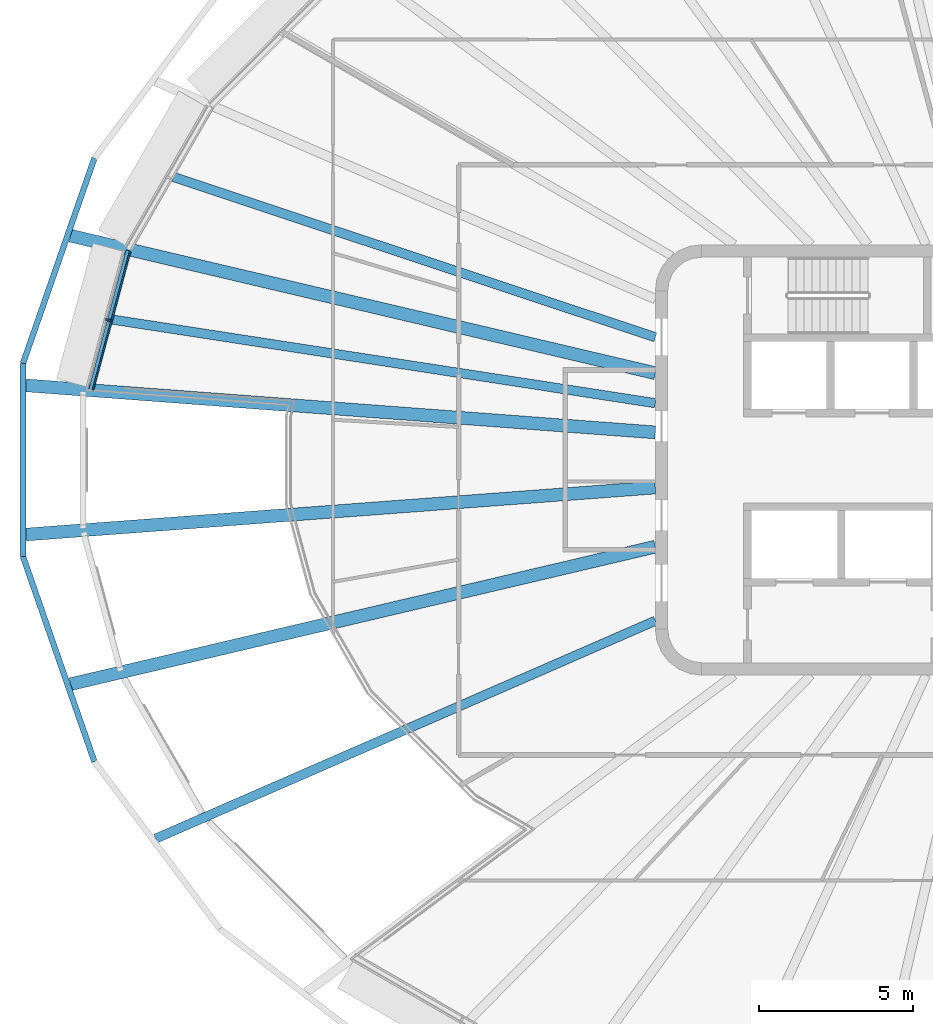
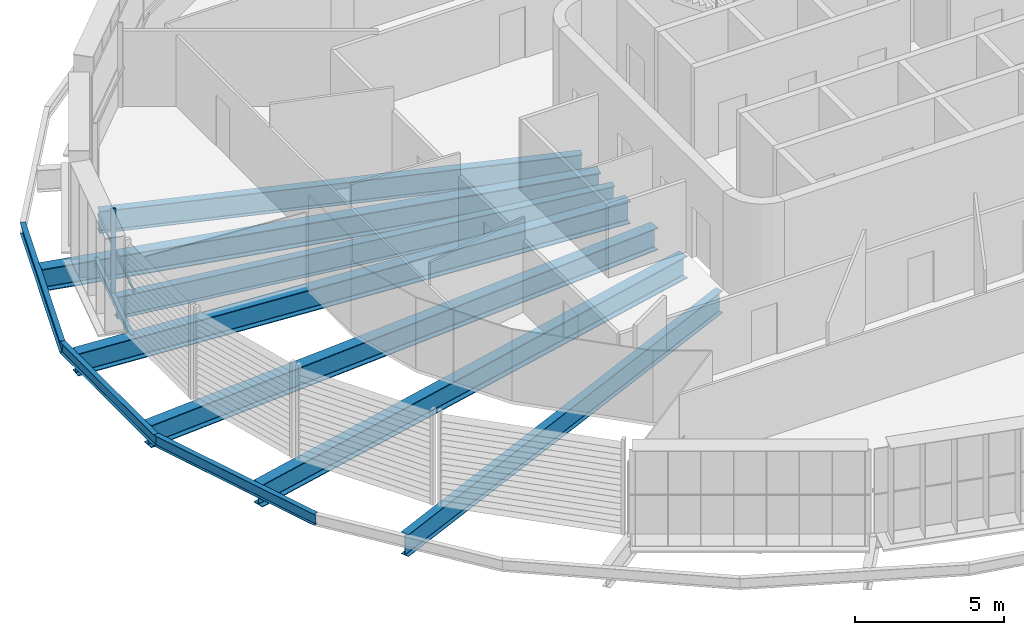
# One storey, part 2 of 20: 11 beams, 2 members, 1 element without a shape of its own.
"""IFC4 building model written with IfcOpenShell, lengths in metres."""

from ifc_helpers import new_model, si_unit, direction, frame, origin, origin_2d, place, context, subcontext, project, spatial, rectangle, i_section, extrude, material, layer, layer_set, material_profile, profile_set, type_object, element, aggregate, save


model = new_model("IFC4")

# Units and contexts
model_context = context("Model", 3, precision=1e-05, world=origin(), true_north=direction((0.0, 1.0)))
body_context = subcontext(model_context, "Body", "Model", "MODEL_VIEW")
ifc_project = project(units=[si_unit("LENGTHUNIT", "METRE"), si_unit("AREAUNIT", "SQUARE_METRE"), si_unit("VOLUMEUNIT", "CUBIC_METRE"), si_unit("PLANEANGLEUNIT", "RADIAN"), si_unit("MASSUNIT", "GRAM", prefix="KILO")], contexts=[model_context])

# Site, building, storey
site_placement = place(None, origin())
site = spatial("IfcSite", under=ifc_project, at=site_placement, CompositionType="ELEMENT")
building_placement = place(site_placement, origin())
building = spatial("IfcBuilding", under=site, at=building_placement, Name="Sahrelin Media Tower", CompositionType="ELEMENT")
storey_placement = place(building_placement, frame((0.0, 0.0, 225.60009765625)))
storey = spatial("IfcBuildingStorey", under=building, at=storey_placement, Name="L48", CompositionType="ELEMENT", Elevation=225.60009765625)

# Beam
ifc_material_1 = material(Name="Steel S355", Category="steel")
ifc_material_profile_1 = material_profile(ifc_material_1, i_section(OverallWidth=0.14599609375, OverallDepth=0.25146484375, WebThickness=0.006103515625, FlangeThickness=0.008544921875, FilletRadius=0.007568359375, at=origin_2d()), Name="UB 254x146x31")
ifc_profile_set_1 = profile_set([ifc_material_profile_1], Name="Steel S355")
beam_type_1 = type_object("IfcBeamType", Name="Edge beam EB1", PredefinedType="BEAM", material=ifc_profile_set_1)
beam_1_placement = place(storey_placement, frame((-30.36474609375, 2.274169921875, -0.27587890625), z_axis=(0.258781089001, 0.965935995797, 0.0), x_axis=(-0.965935995797, 0.258781089001, 0.0)))
element("IfcBeam", 1, at=beam_1_placement, inside=storey, type_object=beam_type_1, Name="Edge beam L48-10", PredefinedType="BEAM", context=body_context, shape_type="SweptSolid", body=[
    extrude(i_section(OverallWidth=0.14599609375, OverallDepth=0.25146484375, WebThickness=0.006103515625, FlangeThickness=0.008544921875, FilletRadius=0.007568359375, at=origin_2d()), origin(), (0.0, 0.0, 1.0), 4.7001953125),
])

# Curtain wall, member
ifc_material_2 = material(Name="Champagne anodised aluminium 6063-T6", Category="aluminium")
ifc_layer = layer(ifc_material_2, 0.14990234375)
ifc_layer_set = layer_set([ifc_layer], Name="Tower ribbon curtain wall")
curtain_wall_type = type_object("IfcCurtainWallType", Name="Tower ribbon curtain wall", PredefinedType="NOTDEFINED", material=ifc_layer_set)
curtain_wall_placement = place(storey_placement, frame((-29.901611328125, 4.5830078125, 0.0), z_axis=(0.0, 0.0, 1.0), x_axis=(1.0, 0.0, 0.0)))
curtain_wall = element("IfcCurtainWall", 2, at=curtain_wall_placement, inside=storey, type_object=curtain_wall_type, Name="L48:CW:L48-11", PredefinedType="NOTDEFINED")
ifc_material_profile_2 = material_profile(ifc_material_2, rectangle(XDim=0.06005859375, YDim=0.175048828125, at=origin_2d()), Name="Mullion 60x175")
ifc_profile_set_2 = profile_set([ifc_material_profile_2], Name="Champagne anodised aluminium 6063-T6")
member_type_1 = type_object("IfcMemberType", Name="Mullion 60x175 CW1B", PredefinedType="MULLION", material=ifc_profile_set_2)
member_1_placement = place(storey_placement, frame((-29.797607421875, 4.55517578125, 0.0), z_axis=(0.0, 0.0, 1.0), x_axis=(-0.258813987523, -0.965927181449, 0.0)))
member_1 = element("IfcMember", 3, at=member_1_placement, type_object=member_type_1, Name="L48:CWM:L48-11", PredefinedType="MULLION", context=body_context, shape_type="SweptSolid", body=[
    extrude(rectangle(XDim=0.06005859375, YDim=0.175048828125, at=origin_2d()), origin(), (0.0, 0.0, 1.0), 3.448486328125),
])

# Beams
ifc_material_profile_3 = material_profile(ifc_material_1, i_section(OverallWidth=0.30322265625, OverallDepth=0.903076171875, WebThickness=0.01513671875, FlangeThickness=0.020263671875, FilletRadius=0.01904296875, at=origin_2d()), Name="UB 914x305x201")
ifc_profile_set_3 = profile_set([ifc_material_profile_3], Name="Steel S355")
beam_type_2 = type_object("IfcBeamType", Name="Radial primary beam PB11", PredefinedType="BEAM", material=ifc_profile_set_3)
beam_2_placement = place(storey_placement, frame((-12.0, -5.232177734375, -0.6015625), z_axis=(-0.916661563544, -0.399664331559, 0.0), x_axis=(0.399664331559, -0.916661563544, 0.0)))
element("IfcBeam", 4, at=beam_2_placement, inside=storey, type_object=beam_type_2, Name="Radial beam L48-15", PredefinedType="BEAM", context=body_context, shape_type="SweptSolid", body=[
    extrude(i_section(OverallWidth=0.30322265625, OverallDepth=0.903076171875, WebThickness=0.01513671875, FlangeThickness=0.020263671875, FilletRadius=0.01904296875, at=origin_2d()), origin(), (0.0, 0.0, 1.0), 17.732177734375),
])
ifc_material_profile_4 = material_profile(ifc_material_1, i_section(OverallWidth=0.41845703125, OverallDepth=0.911865234375, WebThickness=0.019287109375, FlangeThickness=0.031982421875, FilletRadius=0.024169921875, at=origin_2d()), Name="UB 914x419x343")
ifc_profile_set_4 = profile_set([ifc_material_profile_4], Name="Steel S355")
beam_type_3 = type_object("IfcBeamType", Name="Radial primary beam PB12", PredefinedType="BEAM", material=ifc_profile_set_4)
beam_3_placement = place(storey_placement, frame((-12.0, 2.82177734375, -0.60595703125), z_axis=(-0.97344844938, 0.228906348534, 0.0), x_axis=(-0.228906348534, -0.97344844938, 0.0)))
element("IfcBeam", 5, at=beam_3_placement, inside=storey, type_object=beam_type_3, Name="Radial beam L48-11", PredefinedType="BEAM", context=body_context, shape_type="SweptSolid", body=[
    extrude(i_section(OverallWidth=0.41845703125, OverallDepth=0.911865234375, WebThickness=0.019287109375, FlangeThickness=0.031982421875, FilletRadius=0.024169921875, at=origin_2d()), origin(), (0.0, 0.0, 1.0), 19.544677734375),
])
for number, where, z_axis, x_axis, name in (
    (6, (-12.0, 0.896484375, -0.60595703125), (-0.997220813372, 0.074502680337, 0.0), (-0.074502680337, -0.997220813372, 0.0), "Radial beam L48-12"),
    (7, (-12.0, -0.896484375, -0.60595703125), (-0.997220813372, -0.074502680337, 0.0), (0.074502680337, -0.997220813372, 0.0), "Radial beam L48-13"),
):
    element("IfcBeam", number, at=place(storey_placement, frame(where, z_axis=z_axis, x_axis=x_axis)), inside=storey, type_object=beam_type_3, Name=name, PredefinedType="BEAM", context=body_context, shape_type="SweptSolid", body=[
        extrude(i_section(OverallWidth=0.41845703125, OverallDepth=0.911865234375, WebThickness=0.019287109375, FlangeThickness=0.031982421875, FilletRadius=0.024169921875, at=origin_2d()), origin(), (0.0, 0.0, 1.0), 20.53662109375),
    ])
beam_4_placement = place(storey_placement, frame((-12.0, -2.82177734375, -0.60595703125), z_axis=(-0.97344844938, -0.228906348534, 0.0), x_axis=(0.228906348534, -0.97344844938, 0.0)))
element("IfcBeam", 8, at=beam_4_placement, inside=storey, type_object=beam_type_3, Name="Radial beam L48-14", PredefinedType="BEAM", context=body_context, shape_type="SweptSolid", body=[
    extrude(i_section(OverallWidth=0.41845703125, OverallDepth=0.911865234375, WebThickness=0.019287109375, FlangeThickness=0.031982421875, FilletRadius=0.024169921875, at=origin_2d()), origin(), (0.0, 0.0, 1.0), 19.544677734375),
])
ifc_material_profile_5 = material_profile(ifc_material_1, i_section(OverallWidth=0.30322265625, OverallDepth=0.903076171875, WebThickness=0.01513671875, FlangeThickness=0.020263671875, FilletRadius=0.01904296875, at=origin_2d()), Name="UB 914x305x201")
ifc_profile_set_5 = profile_set([ifc_material_profile_5], Name="Steel S355")
beam_type_4 = type_object("IfcBeamType", Name="Radial secondary beam SB11", PredefinedType="BEAM", material=ifc_profile_set_5)
beam_5_placement = place(storey_placement, frame((-12.0, 3.99072265625, -0.6015625), z_axis=(-0.948904719924, 0.315562723569, 0.0), x_axis=(-0.315562723569, -0.948904719924, 0.0)))
element("IfcBeam", 9, at=beam_5_placement, inside=storey, type_object=beam_type_4, Name="Secondary beam L48-10", PredefinedType="BEAM", context=body_context, shape_type="SweptSolid", body=[
    extrude(i_section(OverallWidth=0.30322265625, OverallDepth=0.903076171875, WebThickness=0.01513671875, FlangeThickness=0.020263671875, FilletRadius=0.01904296875, at=origin_2d()), origin(), (0.0, 0.0, 1.0), 16.521728515625),
])
beam_6_placement = place(storey_placement, frame((-12.0, 1.847412109375, -0.6015625), z_axis=(-0.988354329731, 0.152170032864, 0.0), x_axis=(-0.152170032864, -0.988354329731, 0.0)))
element("IfcBeam", 10, at=beam_6_placement, inside=storey, type_object=beam_type_4, Name="Secondary beam L48-11", PredefinedType="BEAM", context=body_context, shape_type="SweptSolid", body=[
    extrude(i_section(OverallWidth=0.30322265625, OverallDepth=0.903076171875, WebThickness=0.01513671875, FlangeThickness=0.020263671875, FilletRadius=0.01904296875, at=origin_2d()), origin(), (0.0, 0.0, 1.0), 17.882568359375),
])
ifc_material_profile_6 = material_profile(ifc_material_1, i_section(OverallWidth=0.1904296875, OverallDepth=0.45703125, WebThickness=0.009033203125, FlangeThickness=0.014404296875, FilletRadius=0.01025390625, at=origin_2d()), Name="UB 457x191x74")
ifc_profile_set_6 = profile_set([ifc_material_profile_6], Name="Steel S355")
beam_type_5 = type_object("IfcBeamType", Name="Tie chord TC5", PredefinedType="BEAM", material=ifc_profile_set_6)
beam_7_placement = place(storey_placement, frame((-30.247314453125, 9.82080078125, -0.378662109375), z_axis=(-0.328792168394, -0.944402303048, 0.0), x_axis=(0.944402303048, -0.328792168394, 0.0)))
element("IfcBeam", 11, at=beam_7_placement, inside=storey, type_object=beam_type_5, Name="Tie chord L48-11", PredefinedType="BEAM", context=body_context, shape_type="SweptSolid", body=[
    extrude(i_section(OverallWidth=0.1904296875, OverallDepth=0.45703125, WebThickness=0.009033203125, FlangeThickness=0.014404296875, FilletRadius=0.01025390625, at=origin_2d()), origin(), (0.0, 0.0, 1.0), 7.07861328125),
])
beam_8_placement = place(storey_placement, frame((-32.57470703125, 3.1357421875, -0.378662109375), z_axis=(0.0, -1.0, 0.0), x_axis=(1.0, 0.0, 0.0)))
element("IfcBeam", 12, at=beam_8_placement, inside=storey, type_object=beam_type_5, Name="Tie chord L48-12", PredefinedType="BEAM", context=body_context, shape_type="SweptSolid", body=[
    extrude(i_section(OverallWidth=0.1904296875, OverallDepth=0.45703125, WebThickness=0.009033203125, FlangeThickness=0.014404296875, FilletRadius=0.01025390625, at=origin_2d()), origin(), (0.0, 0.0, 1.0), 6.271484375),
])
beam_9_placement = place(storey_placement, frame((-32.57470703125, -3.1357421875, -0.378662109375), z_axis=(0.328792168394, -0.944402303048, 0.0), x_axis=(0.944402303048, 0.328792168394, 0.0)))
element("IfcBeam", 13, at=beam_9_placement, inside=storey, type_object=beam_type_5, Name="Tie chord L48-13", PredefinedType="BEAM", context=body_context, shape_type="SweptSolid", body=[
    extrude(i_section(OverallWidth=0.1904296875, OverallDepth=0.45703125, WebThickness=0.009033203125, FlangeThickness=0.014404296875, FilletRadius=0.01025390625, at=origin_2d()), origin(), (0.0, 0.0, 1.0), 7.07861328125),
])

# Member
ifc_material_profile_7 = material_profile(ifc_material_2, rectangle(XDim=0.050048828125, YDim=0.110107421875, at=origin_2d()), Name="Transom 50x110")
ifc_profile_set_7 = profile_set([ifc_material_profile_7], Name="Champagne anodised aluminium 6063-T6")
member_type_2 = type_object("IfcMemberType", Name="Transom 50x110 CW1B", PredefinedType="USERDEFINED", material=ifc_profile_set_7)
member_2_placement = place(storey_placement, frame((-29.084716796875, 6.781005859375, 1.599853515625), z_axis=(-0.258840634667, -0.965920041124, 0.0), x_axis=(0.965920041124, -0.258840634667, 0.0)))
member_2 = element("IfcMember", 14, at=member_2_placement, type_object=member_type_2, Name="L48:CWT:L48-11", ObjectType="TRANSOM", PredefinedType="USERDEFINED", context=body_context, shape_type="SweptSolid", body=[
    extrude(rectangle(XDim=0.050048828125, YDim=0.110107421875, at=origin_2d()), origin(), (0.0, 0.0, 1.0), 4.6689453125),
])

aggregate(curtain_wall, [member_1, member_2])

save(model, "model.ifc")
